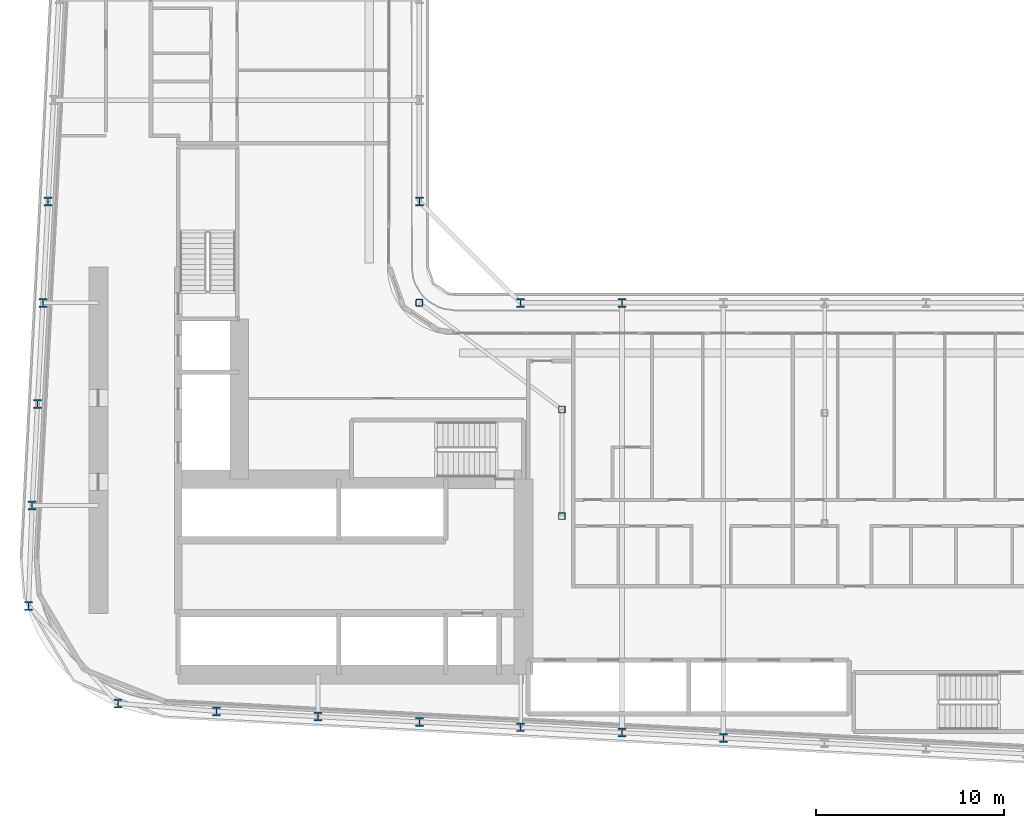
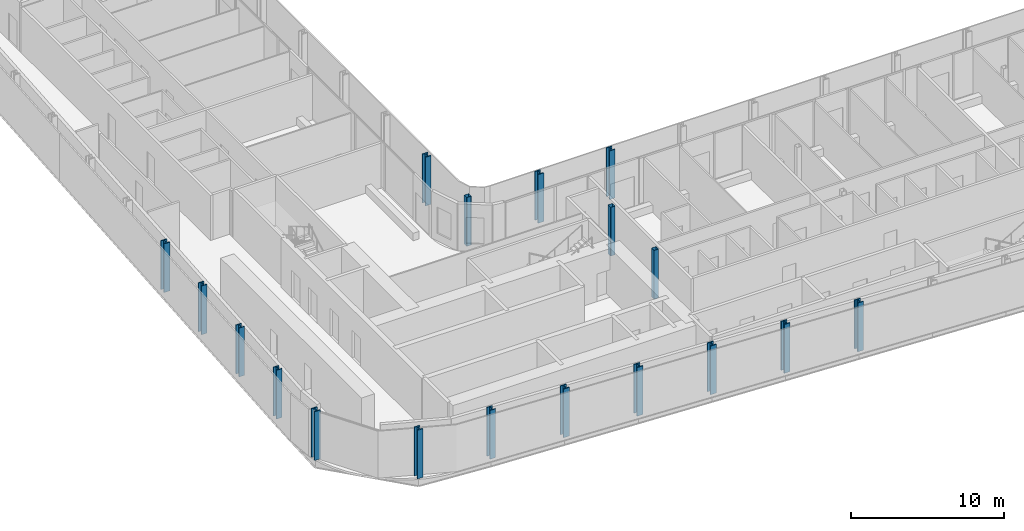
# One storey, part 1 of 28: 18 columns.
"""IFC4 building model written with IfcOpenShell, lengths in metres."""

from ifc_helpers import new_model, si_unit, direction, frame, origin, origin_2d, place, context, subcontext, project, spatial, hollow_rectangle, i_section, extrude, material, material_profile, profile_set, type_object, element, save


model = new_model("IFC4")

# Units and contexts
model_context = context("Model", 3, precision=1e-05, world=origin(), true_north=direction((0.0, 1.0)))
body_context = subcontext(model_context, "Body", "Model", "MODEL_VIEW")
ifc_project = project(units=[si_unit("LENGTHUNIT", "METRE"), si_unit("AREAUNIT", "SQUARE_METRE"), si_unit("VOLUMEUNIT", "CUBIC_METRE"), si_unit("PLANEANGLEUNIT", "RADIAN"), si_unit("MASSUNIT", "GRAM", prefix="KILO")], contexts=[model_context])

# Site, building, storey
site_placement = place(None, origin())
site = spatial("IfcSite", under=ifc_project, at=site_placement, CompositionType="ELEMENT")
building_placement = place(site_placement, origin())
building = spatial("IfcBuilding", under=site, at=building_placement, Name="Kheshtan School and Residences Tower", CompositionType="ELEMENT")
storey_placement = place(building_placement, frame((0.0, 0.0, 77.300048828125)))
storey = spatial("IfcBuildingStorey", under=building, at=storey_placement, Name="L18", CompositionType="ELEMENT", Elevation=77.300048828125)

# Columns
ifc_material_1 = material(Name="Steel ASTM A992 Grade 50", Category="steel")
ifc_material_profile_1 = material_profile(ifc_material_1, i_section(OverallWidth=0.424072265625, OverallDepth=0.47412109375, WebThickness=0.047607421875, FlangeThickness=0.0771484375, FilletRadius=0.01416015625, at=origin_2d()), Name="W360x634")
ifc_profile_set_1 = profile_set([ifc_material_profile_1], Name="Steel ASTM A992 Grade 50")
column_type_1 = type_object("IfcColumnType", Name="Column C1 W360x634 ASTM A992 Grade 50", PredefinedType="COLUMN", material=ifc_profile_set_1)
for number, where, z_axis, x_axis, name in (
    (1, (63.800048828125, 22.410888671875, 0.0), (0.0, 0.0, 1.0), (1.0, 0.0, 0.0), "Column C016"),
    (2, (58.39990234375, 22.695068359375, 0.0), (0.0, 0.0, 1.0), (1.0, 0.0, 0.0), "Column C018"),
    (3, (53.0, 22.97998046875, 0.0), (0.0, 0.0, 1.0), (1.0, 0.0, 0.0), "Column C019"),
    (4, (47.60009765625, 23.263916015625, 0.0), (0.0, 0.0, 1.0), (1.0, 0.0, 0.0), "Column C020"),
    (5, (42.199951171875, 23.548095703125, 0.0), (0.0, 0.0, 1.0), (1.0, 0.0, 0.0), "Column C021"),
    (6, (36.800048828125, 23.83203125, 0.0), (0.0, 0.0, 1.0), (1.0, 0.0, 0.0), "Column C022"),
    (7, (31.5419921875, 24.257080078125, 0.0), (0.0, 0.0, 1.0), (1.0, 0.0, 0.0), "Column C025"),
    (8, (26.76904296875, 29.4541015625, 0.0), (0.0, 0.0, 1.0), (1.0, 0.0, 0.0), "Column C038"),
    (9, (26.968994140625, 34.800048828125, 0.0), (0.0, 0.0, 1.0), (1.0, 0.0, 0.0), "Column C052"),
    (10, (27.2529296875, 40.199951171875, 0.0), (0.0, 0.0, 1.0), (1.0, 0.0, 0.0), "Column C056"),
    (11, (27.537109375, 45.60009765625, 0.0), (0.0, 0.0, 1.0), (1.0, 0.0, 0.0), "Column C059"),
    (12, (53.0, 45.60009765625, 0.0), (0.0, 0.0, 1.0), (1.0, 0.0, 0.0), "Column C061"),
    (13, (58.39990234375, 45.60009765625, 0.0), (0.0, 0.0, 1.0), (1.0, 0.0, 0.0), "Column C062"),
    (14, (27.822021484375, 51.0, 0.0), (0.0, 0.0, 1.0), (1.0, 0.0, 0.0), "Column C078"),
    (15, (47.60009765625, 51.0, 0.0), (0.0, 0.0, 1.0), (1.0, 0.0, 0.0), "Column C079"),
):
    element("IfcColumn", number, at=place(storey_placement, frame(where, z_axis=z_axis, x_axis=x_axis)), inside=storey, type_object=column_type_1, Name=name, PredefinedType="COLUMN", context=body_context, shape_type="SweptSolid", body=[
        extrude(i_section(OverallWidth=0.424072265625, OverallDepth=0.47412109375, WebThickness=0.047607421875, FlangeThickness=0.0771484375, FilletRadius=0.01416015625, at=origin_2d()), origin(), (0.0, 0.0, 1.0), 3.89990234375),
    ])
ifc_material_2 = material(Name="Steel ASTM A500 Grade C", Category="steel")
ifc_material_profile_2 = material_profile(ifc_material_2, hollow_rectangle(XDim=0.35595703125, YDim=0.35595703125, WallThickness=0.015869140625, InnerFilletRadius=0.015869140625, OuterFilletRadius=0.03173828125, at=origin_2d()), Name="HSS 356x356x15.9")
ifc_profile_set_2 = profile_set([ifc_material_profile_2], Name="Steel ASTM A500 Grade C")
column_type_2 = type_object("IfcColumnType", Name="Column IC1 HSS 356x356x15.9 ASTM A500 Grade C", PredefinedType="COLUMN", material=ifc_profile_set_2)
for number, where, z_axis, x_axis, name in (
    (16, (55.199951171875, 34.23193359375, 0.0), (0.0, 0.0, 1.0), (1.0, 0.0, 0.0), "Column C051"),
    (17, (55.199951171875, 39.916015625, 0.0), (0.0, 0.0, 1.0), (1.0, 0.0, 0.0), "Column C055"),
    (18, (47.60009765625, 45.60009765625, 0.0), (0.0, 0.0, 1.0), (1.0, 0.0, 0.0), "Column C060"),
):
    element("IfcColumn", number, at=place(storey_placement, frame(where, z_axis=z_axis, x_axis=x_axis)), inside=storey, type_object=column_type_2, Name=name, PredefinedType="COLUMN", context=body_context, shape_type="SweptSolid", body=[
        extrude(hollow_rectangle(XDim=0.35595703125, YDim=0.35595703125, WallThickness=0.015869140625, InnerFilletRadius=0.015869140625, OuterFilletRadius=0.03173828125, at=origin_2d()), origin(), (0.0, 0.0, 1.0), 3.89990234375),
    ])

save(model, "model.ifc")
